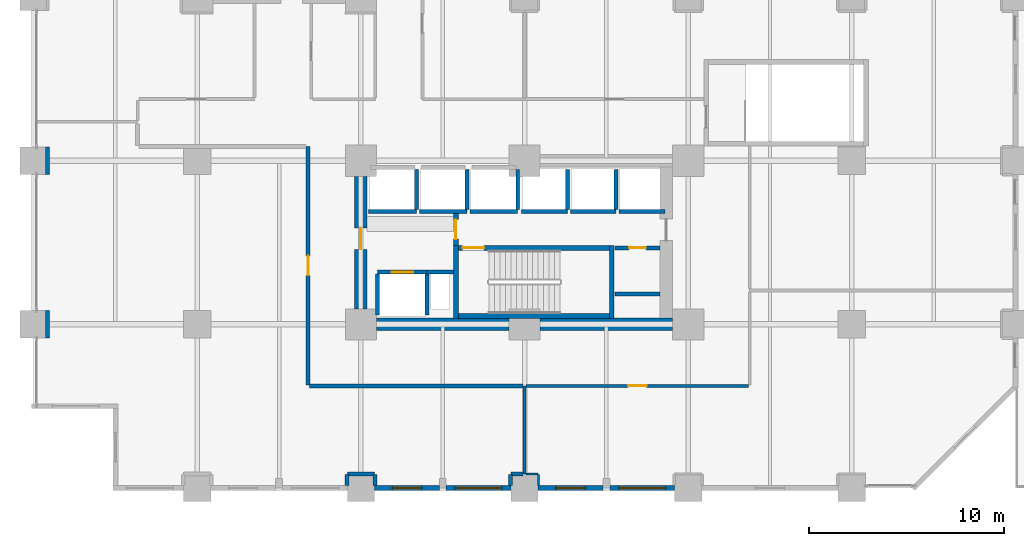
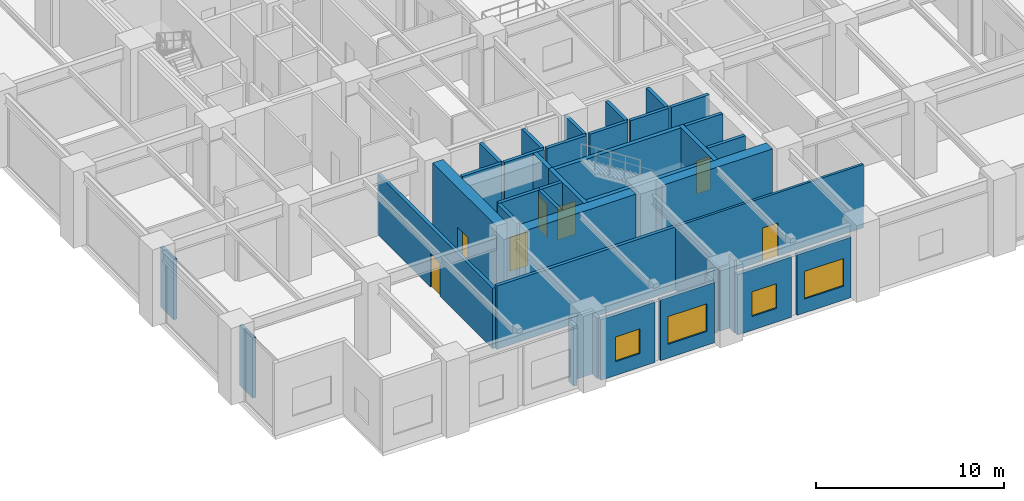
# One storey, part 13 of 21: 42 walls, 7 doors, 4 windows, 11 openings.
"""IFC4 building model written with IfcOpenShell, lengths in metres."""

from ifc_helpers import new_model, si_unit, direction, frame, frame_2d, origin, place, context, subcontext, project, spatial, rectangle, extrude, material, layer, layer_set, type_object, element, fill, save


model = new_model("IFC4")

# Units and contexts
model_context = context("Model", 3, precision=1e-05, world=origin(), true_north=direction((0.0, 1.0)))
body_context = subcontext(model_context, "Body", "Model", "MODEL_VIEW")
ifc_project = project(units=[si_unit("LENGTHUNIT", "METRE"), si_unit("AREAUNIT", "SQUARE_METRE"), si_unit("VOLUMEUNIT", "CUBIC_METRE"), si_unit("PLANEANGLEUNIT", "RADIAN"), si_unit("MASSUNIT", "GRAM", prefix="KILO")], contexts=[model_context])

# Site, building, storey
site_placement = place(None, origin())
site = spatial("IfcSite", under=ifc_project, at=site_placement, CompositionType="ELEMENT")
building_placement = place(site_placement, origin())
building = spatial("IfcBuilding", under=site, at=building_placement, Name="Nerrivon Quay Data Exchange", CompositionType="ELEMENT")
storey_placement = place(building_placement, frame((0.0, 0.0, 19.800048828125)))
storey = spatial("IfcBuildingStorey", under=building, at=storey_placement, Name="L04", CompositionType="ELEMENT", Elevation=19.800048828125)

# Wall, opening, window
ifc_material_1 = material(Name="Architectural terracotta precast concrete N50 (50 MPa)", Category="masonry")
ifc_layer_1 = layer(ifc_material_1, 0.239990234375)
ifc_layer_set_1 = layer_set([ifc_layer_1], Name="Architectural terracotta precast concrete N50 (50 MPa)")
wall_type_1 = type_object("IfcWallType", Name="EW-PREC-240", PredefinedType="STANDARD", material=ifc_layer_set_1)
wall_1_placement = place(storey_placement, frame((32.89990234375, 0.0, 0.0), z_axis=(0.0, 0.0, 1.0), x_axis=(-1.0, 0.0, 0.0)))
wall_1 = element("IfcWall", 1, at=wall_1_placement, inside=storey, type_object=wall_type_1, Name="L04 Podium Precast Spandrel Wall 4", PredefinedType="STANDARD", context=body_context, shape_type="SweptSolid", body=[
    extrude(rectangle(XDim=3.324951171875, YDim=0.239990234375, at=frame_2d((1.66259765625, 0.0))), origin(), (0.0, 0.0, 1.0), 3.925048828125),
])
opening_1_placement = place(wall_1_placement, frame((0.46240234375, 0.0, 0.89990234375)))
opening_1 = element("IfcOpeningElement", 2, at=opening_1_placement, cuts=wall_1, Name="Opening WN1", PredefinedType="OPENING", context=body_context, shape_type="SweptSolid", body=[
    extrude(rectangle(XDim=2.39990234375, YDim=1.800048828125, at=frame_2d((1.199951171875, 0.89990234375))), frame((0.0, 0.1298828125, 0.0), z_axis=(0.0, -1.0, 0.0), x_axis=(1.0, 0.0, 0.0)), (0.0, 0.0, 1.0), 0.260009765625),
])
ifc_material_2 = material(Name="Double-glazed low-E solar control glass", Category="glass")
window_type_1 = type_object("IfcWindowType", Name="WIN-W1-2400x1800", PartitioningType="SINGLE_PANEL", PredefinedType="WINDOW", material=ifc_material_2)
window_1_placement = place(opening_1_placement, origin())
window_1 = element("IfcWindow", 3, at=window_1_placement, inside=storey, type_object=window_type_1, Name="L04 Solar Facade Window 4", OverallHeight=1.800048828125, OverallWidth=2.39990234375, PartitioningType="SINGLE_PANEL", PredefinedType="WINDOW", context=body_context, shape_type="SweptSolid", body=[
    extrude(rectangle(XDim=2.39990234375, YDim=1.800048828125, at=frame_2d((1.199951171875, 0.89990234375))), frame((0.0, 0.030029296875, 0.0), z_axis=(0.0, -1.0, 0.0), x_axis=(1.0, 0.0, 0.0)), (0.0, 0.0, 1.0), 0.06005859375),
])
fill(opening_1, window_1)

wall_2_placement = place(storey_placement, frame((29.22509765625, 0.0, 0.0), z_axis=(0.0, 0.0, 1.0), x_axis=(-1.0, 0.0, 0.0)))
wall_2 = element("IfcWall", 4, at=wall_2_placement, inside=storey, type_object=wall_type_1, Name="L04 Podium Precast Spandrel Wall 5", PredefinedType="STANDARD", context=body_context, shape_type="SweptSolid", body=[
    extrude(rectangle(XDim=3.3251953125, YDim=0.239990234375, at=frame_2d((1.66259765625, 0.0))), origin(), (0.0, 0.0, 1.0), 3.925048828125),
])
opening_2_placement = place(wall_2_placement, frame((0.91259765625, 0.0, 0.89990234375)))
opening_2 = element("IfcOpeningElement", 5, at=opening_2_placement, cuts=wall_2, Name="Opening WN4", PredefinedType="OPENING", context=body_context, shape_type="SweptSolid", body=[
    extrude(rectangle(XDim=1.5, YDim=1.60009765625, at=frame_2d((0.75, 0.800048828125))), frame((0.0, 0.1298828125, 0.0), z_axis=(0.0, -1.0, 0.0), x_axis=(1.0, 0.0, 0.0)), (0.0, 0.0, 1.0), 0.260009765625),
])
window_type_2 = type_object("IfcWindowType", Name="WIN-W4-1500x1600", PartitioningType="SINGLE_PANEL", PredefinedType="WINDOW", material=ifc_material_2)
window_2_placement = place(opening_2_placement, origin())
window_2 = element("IfcWindow", 6, at=window_2_placement, inside=storey, type_object=window_type_2, Name="L04 Solar Facade Window 5", OverallHeight=1.60009765625, OverallWidth=1.5, PartitioningType="SINGLE_PANEL", PredefinedType="WINDOW", context=body_context, shape_type="SweptSolid", body=[
    extrude(rectangle(XDim=1.5, YDim=1.60009765625, at=frame_2d((0.75, 0.800048828125))), frame((0.0, 0.030029296875, 0.0), z_axis=(0.0, -1.0, 0.0), x_axis=(1.0, 0.0, 0.0)), (0.0, 0.0, 1.0), 0.06005859375),
])
fill(opening_2, window_2)

wall_3_placement = place(storey_placement, frame((24.5, 0.0, 0.0), z_axis=(0.0, 0.0, 1.0), x_axis=(-1.0, 0.0, 0.0)))
wall_3 = element("IfcWall", 7, at=wall_3_placement, inside=storey, type_object=wall_type_1, Name="L04 Podium Precast Spandrel Wall 6", PredefinedType="STANDARD", context=body_context, shape_type="SweptSolid", body=[
    extrude(rectangle(XDim=3.324951171875, YDim=0.239990234375, at=frame_2d((1.66259765625, 0.0))), origin(), (0.0, 0.0, 1.0), 3.925048828125),
])
opening_3_placement = place(wall_3_placement, frame((0.46240234375, 0.0, 0.89990234375)))
opening_3 = element("IfcOpeningElement", 8, at=opening_3_placement, cuts=wall_3, Name="Opening WN1", PredefinedType="OPENING", context=body_context, shape_type="SweptSolid", body=[
    extrude(rectangle(XDim=2.39990234375, YDim=1.800048828125, at=frame_2d((1.199951171875, 0.89990234375))), frame((0.0, 0.1298828125, 0.0), z_axis=(0.0, -1.0, 0.0), x_axis=(1.0, 0.0, 0.0)), (0.0, 0.0, 1.0), 0.260009765625),
])
window_3_placement = place(opening_3_placement, origin())
window_3 = element("IfcWindow", 9, at=window_3_placement, inside=storey, type_object=window_type_1, Name="L04 Solar Facade Window 6", OverallHeight=1.800048828125, OverallWidth=2.39990234375, PartitioningType="SINGLE_PANEL", PredefinedType="WINDOW", context=body_context, shape_type="SweptSolid", body=[
    extrude(rectangle(XDim=2.39990234375, YDim=1.800048828125, at=frame_2d((1.199951171875, 0.89990234375))), frame((0.0, 0.030029296875, 0.0), z_axis=(0.0, -1.0, 0.0), x_axis=(1.0, 0.0, 0.0)), (0.0, 0.0, 1.0), 0.06005859375),
])
fill(opening_3, window_3)

wall_4_placement = place(storey_placement, frame((20.824951171875, 0.0, 0.0), z_axis=(0.0, 0.0, 1.0), x_axis=(-1.0, 0.0, 0.0)))
wall_4 = element("IfcWall", 10, at=wall_4_placement, inside=storey, type_object=wall_type_1, Name="L04 Podium Precast Spandrel Wall 7", PredefinedType="STANDARD", context=body_context, shape_type="SweptSolid", body=[
    extrude(rectangle(XDim=3.324951171875, YDim=0.239990234375, at=frame_2d((1.66259765625, 0.0))), origin(), (0.0, 0.0, 1.0), 3.925048828125),
])
opening_4_placement = place(wall_4_placement, frame((0.91259765625, 0.0, 0.89990234375)))
opening_4 = element("IfcOpeningElement", 11, at=opening_4_placement, cuts=wall_4, Name="Opening WN4", PredefinedType="OPENING", context=body_context, shape_type="SweptSolid", body=[
    extrude(rectangle(XDim=1.5, YDim=1.60009765625, at=frame_2d((0.75, 0.800048828125))), frame((0.0, 0.1298828125, 0.0), z_axis=(0.0, -1.0, 0.0), x_axis=(1.0, 0.0, 0.0)), (0.0, 0.0, 1.0), 0.260009765625),
])
window_4_placement = place(opening_4_placement, origin())
window_4 = element("IfcWindow", 12, at=window_4_placement, inside=storey, type_object=window_type_2, Name="L04 Solar Facade Window 7", OverallHeight=1.60009765625, OverallWidth=1.5, PartitioningType="SINGLE_PANEL", PredefinedType="WINDOW", context=body_context, shape_type="SweptSolid", body=[
    extrude(rectangle(XDim=1.5, YDim=1.60009765625, at=frame_2d((0.75, 0.800048828125))), frame((0.0, 0.030029296875, 0.0), z_axis=(0.0, -1.0, 0.0), x_axis=(1.0, 0.0, 0.0)), (0.0, 0.0, 1.0), 0.06005859375),
])
fill(opening_4, window_4)

# Walls
ifc_material_3 = material(Name="Concrete N80 (80 MPa)", Category="concrete")
ifc_layer_2 = layer(ifc_material_3, 0.64990234375)
ifc_layer_set_2 = layer_set([ifc_layer_2], Name="Concrete N80 (80 MPa)")
wall_type_2 = type_object("IfcWallType", Name="WALL-CW-850", PredefinedType="SHEAR", material=ifc_layer_set_2)
wall_5_placement = place(storey_placement, frame((17.60009765625, 8.39990234375, 0.0), z_axis=(0.0, 0.0, 1.0), x_axis=(1.0, 0.0, 0.0)))
element("IfcWall", 13, at=wall_5_placement, inside=storey, type_object=wall_type_2, Name="L04 East Split-Core Shear Wall ECW-S1", PredefinedType="SHEAR", context=body_context, shape_type="SweptSolid", body=[
    extrude(rectangle(XDim=6.7998046875, YDim=0.64990234375, at=frame_2d((3.39990234375, 0.0))), origin(), (0.0, 0.0, 1.0), 4.724853515625),
])
wall_6_placement = place(storey_placement, frame((26.0, 8.39990234375, 0.0), z_axis=(0.0, 0.0, 1.0), x_axis=(1.0, 0.0, 0.0)))
element("IfcWall", 14, at=wall_6_placement, inside=storey, type_object=wall_type_2, Name="L04 East Split-Core Shear Wall ECW-S2", PredefinedType="SHEAR", context=body_context, shape_type="SweptSolid", body=[
    extrude(rectangle(XDim=6.800048828125, YDim=0.64990234375, at=frame_2d((3.39990234375, 0.0))), origin(), (0.0, 0.0, 1.0), 4.724853515625),
])

# Wall, opening, door
wall_7_placement = place(storey_placement, frame((16.800048828125, 9.199951171875, 0.0), z_axis=(0.0, 0.0, 1.0), x_axis=(0.0, 1.0, 0.0)))
wall_7 = element("IfcWall", 15, at=wall_7_placement, inside=storey, type_object=wall_type_2, Name="L04 East Split-Core Shear Wall ECW-W1", PredefinedType="SHEAR", context=body_context, shape_type="SweptSolid", body=[
    extrude(rectangle(XDim=6.800048828125, YDim=0.64990234375, at=frame_2d((3.39990234375, 0.0))), origin(), (0.0, 0.0, 1.0), 4.724853515625),
])
opening_5_placement = place(wall_7_placement, frame((3.050048828125, 0.0, 0.0)))
opening_5 = element("IfcOpeningElement", 16, at=opening_5_placement, cuts=wall_7, Name="Opening FD-120", PredefinedType="OPENING", context=body_context, shape_type="SweptSolid", body=[
    extrude(rectangle(XDim=1.10009765625, YDim=2.14990234375, at=frame_2d((0.550048828125, 1.074951171875))), frame((0.0, 0.3349609375, 0.0), z_axis=(0.0, -1.0, 0.0), x_axis=(1.0, 0.0, 0.0)), (0.0, 0.0, 1.0), 0.669921875),
])
ifc_material_4 = material(Name="Powder-coated galvanized steel sheet", Category="steel")
door_type_1 = type_object("IfcDoorType", Name="DR-FD120-1100", OperationType="NOTDEFINED", PredefinedType="DOOR", material=ifc_material_4)
door_1_placement = place(opening_5_placement, origin())
door_1 = element("IfcDoor", 17, at=door_1_placement, inside=storey, type_object=door_type_1, Name="L04 East Core Lobby Fire Door", OperationType="SINGLE_SWING_LEFT", OverallHeight=2.14990234375, OverallWidth=1.10009765625, PredefinedType="DOOR", context=body_context, shape_type="SweptSolid", body=[
    extrude(rectangle(XDim=1.10009765625, YDim=2.14990234375, at=frame_2d((0.550048828125, 1.074951171875))), frame((0.0, 0.02490234375, 0.0), z_axis=(0.0, -1.0, 0.0), x_axis=(1.0, 0.0, 0.0)), (0.0, 0.0, 1.0), 0.050048828125),
])
fill(opening_5, door_1)

# Wall
ifc_material_5 = material(Name="Gypsum plasterboard on cold-formed framing", Category="gypsum")
ifc_layer_3 = layer(ifc_material_5, 0.199951171875)
ifc_layer_set_3 = layer_set([ifc_layer_3], Name="Gypsum plasterboard on cold-formed framing")
wall_type_3 = type_object("IfcWallType", Name="WALL-FW-200", PredefinedType="PARTITIONING", material=ifc_layer_set_3)
wall_8_placement = place(storey_placement, frame((20.199951171875, 11.080078125, 0.0), z_axis=(0.0, 0.0, 1.0), x_axis=(1.0, 0.0, 0.0)))
element("IfcWall", 18, at=wall_8_placement, inside=storey, type_object=wall_type_3, Name="L04 East Core MEP Riser Shaft Wall N", PredefinedType="PARTITIONING", context=body_context, shape_type="SweptSolid", body=[
    extrude(rectangle(XDim=1.35009765625, YDim=0.199951171875, at=frame_2d((0.675048828125, 0.0))), origin(), (0.0, 0.0, 1.0), 4.724853515625),
])

# Wall, opening, door
wall_9_placement = place(storey_placement, frame((17.64990234375, 11.080078125, 0.0), z_axis=(0.0, 0.0, 1.0), x_axis=(1.0, 0.0, 0.0)))
wall_9 = element("IfcWall", 19, at=wall_9_placement, inside=storey, type_object=wall_type_3, Name="L04 Lift Front Wall FFL-2", PredefinedType="PARTITIONING", context=body_context, shape_type="SweptSolid", body=[
    extrude(rectangle(XDim=2.550048828125, YDim=0.199951171875, at=frame_2d((1.27490234375, 0.0))), origin(), (0.0, 0.0, 1.0), 4.724853515625),
])
opening_6_placement = place(wall_9_placement, frame((0.72509765625, 0.0, 0.0)))
opening_6 = element("IfcOpeningElement", 20, at=opening_6_placement, cuts=wall_9, Name="Opening LD-120", PredefinedType="OPENING", context=body_context, shape_type="SweptSolid", body=[
    extrude(rectangle(XDim=1.10009765625, YDim=2.199951171875, at=frame_2d((0.550048828125, 1.10009765625))), frame((0.0, 0.10986328125, 0.0), z_axis=(0.0, -1.0, 0.0), x_axis=(1.0, 0.0, 0.0)), (0.0, 0.0, 1.0), 0.219970703125),
])
door_type_2 = type_object("IfcDoorType", Name="DR-LIFT-LD120", OperationType="DOUBLE_DOOR_SLIDING", PredefinedType="DOOR", material=ifc_material_4)
door_2_placement = place(opening_6_placement, origin())
door_2 = element("IfcDoor", 21, at=door_2_placement, inside=storey, type_object=door_type_2, Name="L04 Lift Landing Sliding Door FFL-2", OperationType="DOUBLE_DOOR_SLIDING", OverallHeight=2.199951171875, OverallWidth=1.10009765625, PredefinedType="DOOR", context=body_context, shape_type="SweptSolid", body=[
    extrude(rectangle(XDim=1.10009765625, YDim=2.199951171875, at=frame_2d((0.550048828125, 1.10009765625))), frame((0.0, 0.02490234375, 0.0), z_axis=(0.0, -1.0, 0.0), x_axis=(1.0, 0.0, 0.0)), (0.0, 0.0, 1.0), 0.050048828125),
])
fill(opening_6, door_2)

# Walls
for number, where, z_axis, x_axis, name in (
    (22, (20.199951171875, 8.8798828125, 0.0), (0.0, 0.0, 1.0), (0.0, 1.0, 0.0), "L04 Lift Shaft Wall FFL-2 EAST"),
    (23, (17.64990234375, 8.8798828125, 0.0), (0.0, 0.0, 1.0), (0.0, 1.0, 0.0), "L04 Lift Shaft Wall FFL-2 WEST"),
):
    element("IfcWall", number, at=place(storey_placement, frame(where, z_axis=z_axis, x_axis=x_axis)), inside=storey, type_object=wall_type_3, Name=name, PredefinedType="PARTITIONING", context=body_context, shape_type="SweptSolid", body=[
        extrude(rectangle(XDim=2.10009765625, YDim=0.199951171875, at=frame_2d((1.050048828125, 0.0))), origin(), (0.0, 0.0, 1.0), 4.724853515625),
    ])
wall_10_placement = place(storey_placement, frame((17.199951171875, 14.199951171875, 0.0), z_axis=(0.0, 0.0, 1.0), x_axis=(1.0, 0.0, 0.0)))
element("IfcWall", 24, at=wall_10_placement, inside=storey, type_object=wall_type_3, Name="L04 Lift Front Wall PL4", PredefinedType="PARTITIONING", context=body_context, shape_type="SweptSolid", body=[
    extrude(rectangle(XDim=2.449951171875, YDim=0.199951171875, at=frame_2d((1.22509765625, 0.0))), origin(), (0.0, 0.0, 1.0), 4.724853515625),
])
wall_11_placement = place(storey_placement, frame((19.64990234375, 14.300048828125, 0.0), z_axis=(0.0, 0.0, 1.0), x_axis=(0.0, 1.0, 0.0)))
element("IfcWall", 25, at=wall_11_placement, inside=storey, type_object=wall_type_3, Name="L04 Lift Shaft Wall PL4 EAST", PredefinedType="PARTITIONING", context=body_context, shape_type="SweptSolid", body=[
    extrude(rectangle(XDim=2.050048828125, YDim=0.199951171875, at=frame_2d((1.02490234375, 0.0))), origin(), (0.0, 0.0, 1.0), 4.724853515625),
])
wall_12_placement = place(storey_placement, frame((19.800048828125, 14.199951171875, 0.0), z_axis=(0.0, 0.0, 1.0), x_axis=(1.0, 0.0, 0.0)))
element("IfcWall", 26, at=wall_12_placement, inside=storey, type_object=wall_type_3, Name="L04 Lift Front Wall PL5", PredefinedType="PARTITIONING", context=body_context, shape_type="SweptSolid", body=[
    extrude(rectangle(XDim=2.449951171875, YDim=0.199951171875, at=frame_2d((1.22509765625, 0.0))), origin(), (0.0, 0.0, 1.0), 4.724853515625),
])
wall_13_placement = place(storey_placement, frame((22.25, 14.300048828125, 0.0), z_axis=(0.0, 0.0, 1.0), x_axis=(0.0, 1.0, 0.0)))
element("IfcWall", 27, at=wall_13_placement, inside=storey, type_object=wall_type_3, Name="L04 Lift Shaft Wall PL5 EAST", PredefinedType="PARTITIONING", context=body_context, shape_type="SweptSolid", body=[
    extrude(rectangle(XDim=2.050048828125, YDim=0.199951171875, at=frame_2d((1.02490234375, 0.0))), origin(), (0.0, 0.0, 1.0), 4.724853515625),
])
wall_14_placement = place(storey_placement, frame((22.39990234375, 14.199951171875, 0.0), z_axis=(0.0, 0.0, 1.0), x_axis=(1.0, 0.0, 0.0)))
element("IfcWall", 28, at=wall_14_placement, inside=storey, type_object=wall_type_3, Name="L04 Lift Front Wall PL6", PredefinedType="PARTITIONING", context=body_context, shape_type="SweptSolid", body=[
    extrude(rectangle(XDim=2.4501953125, YDim=0.199951171875, at=frame_2d((1.22509765625, 0.0))), origin(), (0.0, 0.0, 1.0), 4.724853515625),
])
wall_15_placement = place(storey_placement, frame((24.85009765625, 14.300048828125, 0.0), z_axis=(0.0, 0.0, 1.0), x_axis=(0.0, 1.0, 0.0)))
element("IfcWall", 29, at=wall_15_placement, inside=storey, type_object=wall_type_3, Name="L04 Lift Shaft Wall PL6 EAST", PredefinedType="PARTITIONING", context=body_context, shape_type="SweptSolid", body=[
    extrude(rectangle(XDim=2.050048828125, YDim=0.199951171875, at=frame_2d((1.02490234375, 0.0))), origin(), (0.0, 0.0, 1.0), 4.724853515625),
])
wall_16_placement = place(storey_placement, frame((25.050048828125, 14.199951171875, 0.0), z_axis=(0.0, 0.0, 1.0), x_axis=(1.0, 0.0, 0.0)))
element("IfcWall", 30, at=wall_16_placement, inside=storey, type_object=wall_type_3, Name="L04 Lift Front Wall PL7", PredefinedType="PARTITIONING", context=body_context, shape_type="SweptSolid", body=[
    extrude(rectangle(XDim=2.349853515625, YDim=0.199951171875, at=frame_2d((1.1748046875, 0.0))), origin(), (0.0, 0.0, 1.0), 4.724853515625),
])
wall_17_placement = place(storey_placement, frame((27.39990234375, 14.300048828125, 0.0), z_axis=(0.0, 0.0, 1.0), x_axis=(0.0, 1.0, 0.0)))
element("IfcWall", 31, at=wall_17_placement, inside=storey, type_object=wall_type_3, Name="L04 Lift Shaft Wall PL7 EAST", PredefinedType="PARTITIONING", context=body_context, shape_type="SweptSolid", body=[
    extrude(rectangle(XDim=2.050048828125, YDim=0.199951171875, at=frame_2d((1.02490234375, 0.0))), origin(), (0.0, 0.0, 1.0), 4.724853515625),
])
wall_18_placement = place(storey_placement, frame((27.550048828125, 14.199951171875, 0.0), z_axis=(0.0, 0.0, 1.0), x_axis=(1.0, 0.0, 0.0)))
element("IfcWall", 32, at=wall_18_placement, inside=storey, type_object=wall_type_3, Name="L04 Lift Front Wall PL8", PredefinedType="PARTITIONING", context=body_context, shape_type="SweptSolid", body=[
    extrude(rectangle(XDim=2.349853515625, YDim=0.199951171875, at=frame_2d((1.1748046875, 0.0))), origin(), (0.0, 0.0, 1.0), 4.724853515625),
])
wall_19_placement = place(storey_placement, frame((29.89990234375, 14.300048828125, 0.0), z_axis=(0.0, 0.0, 1.0), x_axis=(0.0, 1.0, 0.0)))
element("IfcWall", 33, at=wall_19_placement, inside=storey, type_object=wall_type_3, Name="L04 Lift Shaft Wall PL8 EAST", PredefinedType="PARTITIONING", context=body_context, shape_type="SweptSolid", body=[
    extrude(rectangle(XDim=2.050048828125, YDim=0.199951171875, at=frame_2d((1.02490234375, 0.0))), origin(), (0.0, 0.0, 1.0), 4.724853515625),
])
wall_20_placement = place(storey_placement, frame((30.050048828125, 14.199951171875, 0.0), z_axis=(0.0, 0.0, 1.0), x_axis=(1.0, 0.0, 0.0)))
element("IfcWall", 34, at=wall_20_placement, inside=storey, type_object=wall_type_3, Name="L04 Lift Front Wall PL9", PredefinedType="PARTITIONING", context=body_context, shape_type="SweptSolid", body=[
    extrude(rectangle(XDim=2.349853515625, YDim=0.199951171875, at=frame_2d((1.1748046875, 0.0))), origin(), (0.0, 0.0, 1.0), 4.724853515625),
])

# Wall, opening, door
wall_21_placement = place(storey_placement, frame((32.14599609375, 12.330078125, 0.0), z_axis=(0.0, 0.0, 1.0), x_axis=(-1.0, 0.0, 0.0)))
wall_21 = element("IfcWall", 35, at=wall_21_placement, inside=storey, type_object=wall_type_3, Name="L04 Partition East Supply Store", PredefinedType="PARTITIONING", context=body_context, shape_type="SweptSolid", body=[
    extrude(rectangle(XDim=2.2958984375, YDim=0.199951171875, at=frame_2d((1.14794921875, 0.0))), origin(), (0.0, 0.0, 1.0), 4.724853515625),
])
opening_7_placement = place(wall_21_placement, frame((0.722900390625, 0.0, 0.0)))
opening_7 = element("IfcOpeningElement", 36, at=opening_7_placement, cuts=wall_21, Name="Opening FD-60S", PredefinedType="OPENING", context=body_context, shape_type="SweptSolid", body=[
    extrude(rectangle(XDim=0.85009765625, YDim=2.14990234375, at=frame_2d((0.425048828125, 1.074951171875))), frame((0.0, 0.10986328125, 0.0), z_axis=(0.0, -1.0, 0.0), x_axis=(1.0, 0.0, 0.0)), (0.0, 0.0, 1.0), 0.219970703125),
])
ifc_material_6 = material(Name="Engineered hardwood timber", Category="wood")
door_type_3 = type_object("IfcDoorType", Name="DR-FD60-850", OperationType="NOTDEFINED", PredefinedType="DOOR", material=ifc_material_6)
door_3_placement = place(opening_7_placement, origin())
door_3 = element("IfcDoor", 37, at=door_3_placement, inside=storey, type_object=door_type_3, Name="L04 Door East Supply Store", OperationType="SINGLE_SWING_LEFT", OverallHeight=2.14990234375, OverallWidth=0.85009765625, PredefinedType="DOOR", context=body_context, shape_type="SweptSolid", body=[
    extrude(rectangle(XDim=0.85009765625, YDim=2.14990234375, at=frame_2d((0.425048828125, 1.074951171875))), frame((0.0, 0.02490234375, 0.0), z_axis=(0.0, -1.0, 0.0), x_axis=(1.0, 0.0, 0.0)), (0.0, 0.0, 1.0), 0.050048828125),
])
fill(opening_7, door_3)

# Walls
wall_22_placement = place(storey_placement, frame((29.85009765625, 9.949951171875, 0.0), z_axis=(0.0, 0.0, 1.0), x_axis=(1.0, 0.0, 0.0)))
element("IfcWall", 38, at=wall_22_placement, inside=storey, type_object=wall_type_3, Name="L04 Partition East Supply Store", PredefinedType="PARTITIONING", context=body_context, shape_type="SweptSolid", body=[
    extrude(rectangle(XDim=2.2958984375, YDim=0.199951171875, at=frame_2d((1.14794921875, 0.0))), origin(), (0.0, 0.0, 1.0), 4.724853515625),
])
wall_23_placement = place(storey_placement, frame((16.080078125, 0.1240234375, 0.0), z_axis=(0.0, 0.0, 1.0), x_axis=(0.0, 1.0, 0.0)))
element("IfcWall", 39, at=wall_23_placement, inside=storey, type_object=wall_type_3, Name="L04 Partition Colocation Data Workspace 1", PredefinedType="PARTITIONING", context=body_context, shape_type="SweptSolid", body=[
    extrude(rectangle(XDim=0.575927734375, YDim=0.199951171875, at=frame_2d((0.2880859375, 0.0))), origin(), (0.0, 0.0, 1.0), 3.925048828125),
])
wall_24_placement = place(storey_placement, frame((16.10009765625, 0.719970703125, 0.0), z_axis=(0.0, 0.0, 1.0), x_axis=(1.0, 0.0, 0.0)))
element("IfcWall", 40, at=wall_24_placement, inside=storey, type_object=wall_type_3, Name="L04 Partition Colocation Data Workspace 1", PredefinedType="PARTITIONING", context=body_context, shape_type="SweptSolid", body=[
    extrude(rectangle(XDim=1.39990234375, YDim=0.199951171875, at=frame_2d((0.699951171875, 0.0))), origin(), (0.0, 0.0, 1.0), 4.113037109375),
])
for number, where, z_axis, x_axis, name in (
    (41, (17.52001953125, 0.699951171875, 0.0), (0.0, 0.0, 1.0), (0.0, -1.0, 0.0), "L04 Partition Colocation Data Workspace 1"),
    (42, (24.47998046875, 0.1240234375, 0.0), (0.0, 0.0, 1.0), (0.0, 1.0, 0.0), "L04 Partition Colocation Data Workspace 1"),
):
    element("IfcWall", number, at=place(storey_placement, frame(where, z_axis=z_axis, x_axis=x_axis)), inside=storey, type_object=wall_type_3, Name=name, PredefinedType="PARTITIONING", context=body_context, shape_type="SweptSolid", body=[
        extrude(rectangle(XDim=0.575927734375, YDim=0.199951171875, at=frame_2d((0.2880859375, 0.0))), origin(), (0.0, 0.0, 1.0), 3.925048828125),
    ])
wall_25_placement = place(storey_placement, frame((24.5, 0.719970703125, 0.0), z_axis=(0.0, 0.0, 1.0), x_axis=(1.0, 0.0, 0.0)))
element("IfcWall", 43, at=wall_25_placement, inside=storey, type_object=wall_type_3, Name="L04 Partition Colocation Data Workspace 1", PredefinedType="PARTITIONING", context=body_context, shape_type="SweptSolid", body=[
    extrude(rectangle(XDim=0.62841796875, YDim=0.199951171875, at=frame_2d((0.314208984375, 0.0))), origin(), (0.0, 0.0, 1.0), 4.113037109375),
])
wall_26_placement = place(storey_placement, frame((25.12841796875, 5.239990234375, 0.0), z_axis=(0.0, 0.0, 1.0), x_axis=(-1.0, 0.0, 0.0)))
element("IfcWall", 44, at=wall_26_placement, inside=storey, type_object=wall_type_3, Name="L04 Partition Colocation Data Workspace 1", PredefinedType="PARTITIONING", context=body_context, shape_type="SweptSolid", body=[
    extrude(rectangle(XDim=10.978515625, YDim=0.199951171875, at=frame_2d((5.4892578125, 0.0))), origin(), (0.0, 0.0, 1.0), 4.113037109375),
])

# Wall, opening, door
wall_27_placement = place(storey_placement, frame((14.090087890625, 5.300048828125, 0.0), z_axis=(0.0, 0.0, 1.0), x_axis=(0.0, 1.0, 0.0)))
wall_27 = element("IfcWall", 45, at=wall_27_placement, inside=storey, type_object=wall_type_3, Name="L04 Partition Colocation Data Workspace 1", PredefinedType="PARTITIONING", context=body_context, shape_type="SweptSolid", body=[
    extrude(rectangle(XDim=12.239990234375, YDim=0.199951171875, at=frame_2d((6.1201171875, 0.0))), origin(), (0.0, 0.0, 1.0), 3.925048828125),
])
opening_8_placement = place(wall_27_placement, frame((5.6201171875, 0.0, 0.0)))
opening_8 = element("IfcOpeningElement", 46, at=opening_8_placement, cuts=wall_27, Name="Opening FD-60", PredefinedType="OPENING", context=body_context, shape_type="SweptSolid", body=[
    extrude(rectangle(XDim=1.0, YDim=2.14990234375, at=frame_2d((0.5, 1.074951171875))), frame((0.0, 0.10986328125, 0.0), z_axis=(0.0, -1.0, 0.0), x_axis=(1.0, 0.0, 0.0)), (0.0, 0.0, 1.0), 0.219970703125),
])
door_type_4 = type_object("IfcDoorType", Name="DR-FD60-1000", OperationType="NOTDEFINED", PredefinedType="DOOR", material=ifc_material_6)
door_4_placement = place(opening_8_placement, origin())
door_4 = element("IfcDoor", 47, at=door_4_placement, inside=storey, type_object=door_type_4, Name="L04 Door Colocation Data Workspace 1", OperationType="SINGLE_SWING_LEFT", OverallHeight=2.14990234375, OverallWidth=1.0, PredefinedType="DOOR", context=body_context, shape_type="SweptSolid", body=[
    extrude(rectangle(XDim=1.0, YDim=2.14990234375, at=frame_2d((0.5, 1.074951171875))), frame((0.0, 0.02490234375, 0.0), z_axis=(0.0, -1.0, 0.0), x_axis=(1.0, 0.0, 0.0)), (0.0, 0.0, 1.0), 0.050048828125),
])
fill(opening_8, door_4)

# Walls
wall_28_placement = place(storey_placement, frame((0.719970703125, 17.501953125, 0.0), z_axis=(0.0, 0.0, 1.0), x_axis=(0.0, -1.0, 0.0)))
element("IfcWall", 48, at=wall_28_placement, inside=storey, type_object=wall_type_3, Name="L04 Partition Colocation Data Workspace 1", PredefinedType="PARTITIONING", context=body_context, shape_type="SweptSolid", body=[
    extrude(rectangle(XDim=1.40185546875, YDim=0.199951171875, at=frame_2d((0.700927734375, 0.0))), origin(), (0.0, 0.0, 1.0), 3.925048828125),
])
wall_29_placement = place(storey_placement, frame((0.719970703125, 9.10009765625, 0.0), z_axis=(0.0, 0.0, 1.0), x_axis=(0.0, -1.0, 0.0)))
element("IfcWall", 49, at=wall_29_placement, inside=storey, type_object=wall_type_3, Name="L04 Partition Colocation Data Workspace 1", PredefinedType="PARTITIONING", context=body_context, shape_type="SweptSolid", body=[
    extrude(rectangle(XDim=1.400146484375, YDim=0.199951171875, at=frame_2d((0.7001953125, 0.0))), origin(), (0.0, 0.0, 1.0), 3.925048828125),
])
ifc_layer_4 = layer(ifc_material_5, 0.1201171875)
ifc_layer_set_4 = layer_set([ifc_layer_4], Name="Gypsum plasterboard on cold-formed framing")
wall_type_4 = type_object("IfcWallType", Name="WALL-PT-120", PredefinedType="PARTITIONING", material=ifc_layer_set_4)
wall_30_placement = place(storey_placement, frame((25.271484375, 0.719970703125, 0.0), z_axis=(0.0, 0.0, 1.0), x_axis=(1.0, 0.0, 0.0)))
element("IfcWall", 50, at=wall_30_placement, inside=storey, type_object=wall_type_4, Name="L04 Partition Quiet Reading Room", PredefinedType="PARTITIONING", context=body_context, shape_type="SweptSolid", body=[
    extrude(rectangle(XDim=0.62841796875, YDim=0.1201171875, at=frame_2d((0.314208984375, 0.0))), origin(), (0.0, 0.0, 1.0), 4.113037109375),
])
wall_31_placement = place(storey_placement, frame((25.919921875, 0.699951171875, 0.0), z_axis=(0.0, 0.0, 1.0), x_axis=(0.0, -1.0, 0.0)))
element("IfcWall", 51, at=wall_31_placement, inside=storey, type_object=wall_type_4, Name="L04 Partition Quiet Reading Room", PredefinedType="PARTITIONING", context=body_context, shape_type="SweptSolid", body=[
    extrude(rectangle(XDim=0.575927734375, YDim=0.1201171875, at=frame_2d((0.2880859375, 0.0))), origin(), (0.0, 0.0, 1.0), 4.724853515625),
])
ifc_layer_5 = layer(ifc_material_5, 0.135009765625)
ifc_layer_set_5 = layer_set([ifc_layer_5], Name="Gypsum plasterboard on cold-formed framing")
wall_type_5 = type_object("IfcWallType", Name="WALL-PT-135", PredefinedType="PARTITIONING", material=ifc_layer_set_5)
wall_32_placement = place(storey_placement, frame((25.199951171875, 5.239990234375, 0.0), z_axis=(0.0, 0.0, 1.0), x_axis=(0.0, -1.0, 0.0)))
element("IfcWall", 52, at=wall_32_placement, inside=storey, type_object=wall_type_5, Name="L04 Partition Quiet Reading Room", PredefinedType="PARTITIONING", context=body_context, shape_type="SweptSolid", body=[
    extrude(rectangle(XDim=4.52001953125, YDim=0.135009765625, at=frame_2d((2.260009765625, 0.0))), origin(), (0.0, 0.0, 1.0), 4.113037109375),
])

# Wall, opening, door
ifc_layer_6 = layer(ifc_material_5, 0.14990234375)
ifc_layer_set_6 = layer_set([ifc_layer_6], Name="Gypsum plasterboard on cold-formed framing")
wall_type_6 = type_object("IfcWallType", Name="WALL-PT-150", PredefinedType="PARTITIONING", material=ifc_layer_set_6)
wall_33_placement = place(storey_placement, frame((36.699951171875, 5.239990234375, 0.0), z_axis=(0.0, 0.0, 1.0), x_axis=(-1.0, 0.0, 0.0)))
wall_33 = element("IfcWall", 53, at=wall_33_placement, inside=storey, type_object=wall_type_6, Name="L04 Partition Quiet Reading Room", PredefinedType="PARTITIONING", context=body_context, shape_type="SweptSolid", body=[
    extrude(rectangle(XDim=11.428466796875, YDim=0.14990234375, at=frame_2d((5.71435546875, 0.0))), origin(), (0.0, 0.0, 1.0), 4.113037109375),
])
opening_9_placement = place(wall_33_placement, frame((5.2392578125, 0.0, 0.0)))
opening_9 = element("IfcOpeningElement", 54, at=opening_9_placement, cuts=wall_33, Name="Opening D-01", PredefinedType="OPENING", context=body_context, shape_type="SweptSolid", body=[
    extrude(rectangle(XDim=0.949951171875, YDim=2.14990234375, at=frame_2d((0.47509765625, 1.074951171875))), frame((0.0, 0.0849609375, 0.0), z_axis=(0.0, -1.0, 0.0), x_axis=(1.0, 0.0, 0.0)), (0.0, 0.0, 1.0), 0.169921875),
])
door_type_5 = type_object("IfcDoorType", Name="DR-INT-950", OperationType="NOTDEFINED", PredefinedType="DOOR", material=ifc_material_6)
door_5_placement = place(opening_9_placement, origin())
door_5 = element("IfcDoor", 55, at=door_5_placement, inside=storey, type_object=door_type_5, Name="L04 Door Quiet Reading Room", OperationType="SINGLE_SWING_RIGHT", OverallHeight=2.14990234375, OverallWidth=0.949951171875, PredefinedType="DOOR", context=body_context, shape_type="SweptSolid", body=[
    extrude(rectangle(XDim=0.949951171875, YDim=2.14990234375, at=frame_2d((0.47509765625, 1.074951171875))), frame((0.0, 0.02490234375, 0.0), z_axis=(0.0, -1.0, 0.0), x_axis=(1.0, 0.0, 0.0)), (0.0, 0.0, 1.0), 0.050048828125),
])
fill(opening_9, door_5)

# Walls
ifc_material_7 = material(Name="Concrete N50 (50 MPa)", Category="concrete")
ifc_layer_7 = layer(ifc_material_7, 0.25)
ifc_layer_set_7 = layer_set([ifc_layer_7], Name="Concrete N50 (50 MPa)")
wall_type_7 = type_object("IfcWallType", Name="WALL-SW-250", PredefinedType="SHEAR", material=ifc_layer_set_7)
for number, where, z_axis, x_axis, name in (
    (56, (21.675048828125, 8.699951171875, 0.0), (0.0, 0.0, 1.0), (0.0, 1.0, 0.0), "L04 ST02 Structural Stair Core Wall NEAR"),
    (57, (29.675048828125, 8.699951171875, 0.0), (0.0, 0.0, 1.0), (0.0, 1.0, 0.0), "L04 ST02 Structural Stair Core Wall FAR"),
):
    element("IfcWall", number, at=place(storey_placement, frame(where, z_axis=z_axis, x_axis=x_axis)), inside=storey, type_object=wall_type_7, Name=name, PredefinedType="SHEAR", context=body_context, shape_type="SweptSolid", body=[
        extrude(rectangle(XDim=3.75, YDim=0.25, at=frame_2d((1.875, 0.0))), origin(), (0.0, 0.0, 1.0), 4.724853515625),
    ])
wall_34_placement = place(storey_placement, frame((21.800048828125, 8.824951171875, 0.0), z_axis=(0.0, 0.0, 1.0), x_axis=(1.0, 0.0, 0.0)))
element("IfcWall", 58, at=wall_34_placement, inside=storey, type_object=wall_type_7, Name="L04 ST02 Structural Stair Core Wall LEFT", PredefinedType="SHEAR", context=body_context, shape_type="SweptSolid", body=[
    extrude(rectangle(XDim=7.75, YDim=0.25, at=frame_2d((3.875, 0.0))), origin(), (0.0, 0.0, 1.0), 4.724853515625),
])

# Wall, opening, door
wall_35_placement = place(storey_placement, frame((21.800048828125, 12.324951171875, 0.0), z_axis=(0.0, 0.0, 1.0), x_axis=(1.0, 0.0, 0.0)))
wall_35 = element("IfcWall", 59, at=wall_35_placement, inside=storey, type_object=wall_type_7, Name="L04 ST02 Structural Stair Core Wall RIGHT", PredefinedType="SHEAR", context=body_context, shape_type="SweptSolid", body=[
    extrude(rectangle(XDim=7.75, YDim=0.25, at=frame_2d((3.875, 0.0))), origin(), (0.0, 0.0, 1.0), 4.724853515625),
])
opening_10_placement = place(wall_35_placement, frame((0.219970703125, 0.0, 0.0)))
opening_10 = element("IfcOpeningElement", 60, at=opening_10_placement, cuts=wall_35, Name="Opening FD-120", PredefinedType="OPENING", context=body_context, shape_type="SweptSolid", body=[
    extrude(rectangle(XDim=1.10009765625, YDim=2.14990234375, at=frame_2d((0.550048828125, 1.074951171875))), frame((0.0, 0.135009765625, 0.0), z_axis=(0.0, -1.0, 0.0), x_axis=(1.0, 0.0, 0.0)), (0.0, 0.0, 1.0), 0.27001953125),
])
door_6_placement = place(opening_10_placement, origin())
door_6 = element("IfcDoor", 61, at=door_6_placement, inside=storey, type_object=door_type_1, Name="L04 Protected Stair Door ST02", OperationType="SINGLE_SWING_LEFT", OverallHeight=2.14990234375, OverallWidth=1.10009765625, PredefinedType="DOOR", context=body_context, shape_type="SweptSolid", body=[
    extrude(rectangle(XDim=1.10009765625, YDim=2.14990234375, at=frame_2d((0.550048828125, 1.074951171875))), frame((0.0, 0.02490234375, 0.0), z_axis=(0.0, -1.0, 0.0), x_axis=(1.0, 0.0, 0.0)), (0.0, 0.0, 1.0), 0.050048828125),
])
fill(opening_10, door_6)

wall_36_placement = place(storey_placement, frame((21.679931640625, 12.449951171875, 0.0), z_axis=(0.0, 0.0, 1.0), x_axis=(0.0, 1.0, 0.0)))
wall_36 = element("IfcWall", 62, at=wall_36_placement, inside=storey, type_object=wall_type_7, Name="L04 East Firefighting Lobby Wall", PredefinedType="SHEAR", context=body_context, shape_type="SweptSolid", body=[
    extrude(rectangle(XDim=1.650146484375, YDim=0.25, at=frame_2d((0.8251953125, 0.0))), origin(), (0.0, 0.0, 1.0), 4.724853515625),
])
opening_11_placement = place(wall_36_placement, frame((0.324951171875, 0.0, 0.0)))
opening_11 = element("IfcOpeningElement", 63, at=opening_11_placement, cuts=wall_36, Name="Opening FD-60", PredefinedType="OPENING", context=body_context, shape_type="SweptSolid", body=[
    extrude(rectangle(XDim=1.0, YDim=2.14990234375, at=frame_2d((0.5, 1.074951171875))), frame((0.0, 0.135009765625, 0.0), z_axis=(0.0, -1.0, 0.0), x_axis=(1.0, 0.0, 0.0)), (0.0, 0.0, 1.0), 0.27001953125),
])
door_7_placement = place(opening_11_placement, origin())
door_7 = element("IfcDoor", 64, at=door_7_placement, inside=storey, type_object=door_type_4, Name="L04 East Firefighting Lobby Fire Door", OperationType="SINGLE_SWING_RIGHT", OverallHeight=2.14990234375, OverallWidth=1.0, PredefinedType="DOOR", context=body_context, shape_type="SweptSolid", body=[
    extrude(rectangle(XDim=1.0, YDim=2.14990234375, at=frame_2d((0.5, 1.074951171875))), frame((0.0, 0.02490234375, 0.0), z_axis=(0.0, -1.0, 0.0), x_axis=(1.0, 0.0, 0.0)), (0.0, 0.0, 1.0), 0.050048828125),
])
fill(opening_11, door_7)

save(model, "model.ifc")
